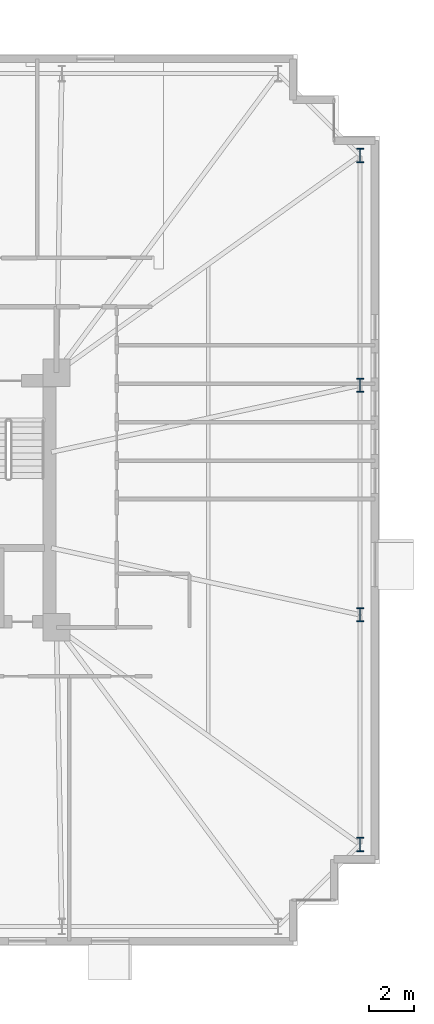
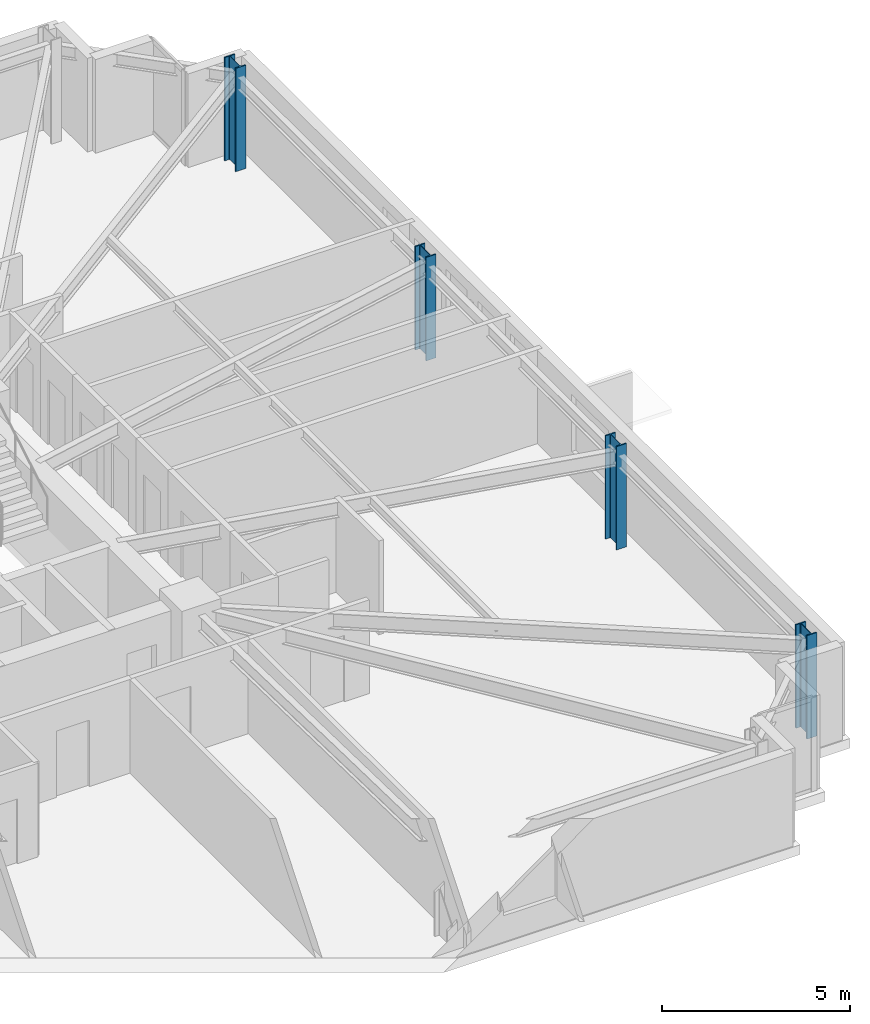
# One storey, part 3 of 22: 4 columns.
"""IFC4 building model written with IfcOpenShell, lengths in metres."""

from ifc_helpers import new_model, si_unit, direction, frame, origin, origin_2d, place, context, subcontext, project, spatial, i_section, extrude, material, material_profile, profile_set, type_object, element, save


model = new_model("IFC4")

# Units and contexts
model_context = context("Model", 3, precision=1e-05, world=origin(), true_north=direction((0.0, 1.0)))
body_context = subcontext(model_context, "Body", "Model", "MODEL_VIEW")
ifc_project = project(units=[si_unit("LENGTHUNIT", "METRE"), si_unit("AREAUNIT", "SQUARE_METRE"), si_unit("VOLUMEUNIT", "CUBIC_METRE"), si_unit("PLANEANGLEUNIT", "RADIAN"), si_unit("MASSUNIT", "GRAM", prefix="KILO")], contexts=[model_context])

# Site, building, storey
site_placement = place(None, origin())
site = spatial("IfcSite", under=ifc_project, at=site_placement, CompositionType="ELEMENT")
building_placement = place(site_placement, origin())
building = spatial("IfcBuilding", under=site, at=building_placement, Name="Qobustan Lattice House", CompositionType="ELEMENT")
storey_placement = place(building_placement, frame((0.0, 0.0, 53.800048828125)))
storey = spatial("IfcBuildingStorey", under=building, at=storey_placement, Name="L14", CompositionType="ELEMENT", Elevation=53.800048828125)

# Columns
ifc_material = material(Name="Steel S460", Category="steel")
ifc_material_profile = material_profile(ifc_material, i_section(OverallWidth=0.304931640625, OverallDepth=0.6201171875, WebThickness=0.02099609375, FlangeThickness=0.0400390625, FilletRadius=0.027099609375, at=origin_2d()), Name="HEM600")
ifc_profile_set = profile_set([ifc_material_profile], Name="Steel S460")
column_type = type_object("IfcColumnType", Name="COL-ST-HEM600", PredefinedType="COLUMN", material=ifc_profile_set)
for number, where, z_axis, x_axis, name in (
    (1, (32.14990234375, -15.14990234375, 0.0), (0.0, 0.0, 1.0), (1.0, 0.0, 0.0), "L14 B1 perimeter column E1"),
    (2, (32.14990234375, -5.050048828125, 0.0), (0.0, 0.0, 1.0), (1.0, 0.0, 0.0), "L14 B1 perimeter column E2"),
    (3, (32.14990234375, 5.050048828125, 0.0), (0.0, 0.0, 1.0), (1.0, 0.0, 0.0), "L14 B1 perimeter column E3"),
    (4, (32.14990234375, 15.14990234375, 0.0), (0.0, 0.0, 1.0), (1.0, 0.0, 0.0), "L14 B1 perimeter column E4"),
):
    element("IfcColumn", number, at=place(storey_placement, frame(where, z_axis=z_axis, x_axis=x_axis)), inside=storey, type_object=column_type, Name=name, PredefinedType="COLUMN", context=body_context, shape_type="SweptSolid", body=[
        extrude(i_section(OverallWidth=0.304931640625, OverallDepth=0.6201171875, WebThickness=0.02099609375, FlangeThickness=0.0400390625, FilletRadius=0.027099609375, at=origin_2d()), origin(), (0.0, 0.0, 1.0), 3.349853515625),
    ])

save(model, "model.ifc")
